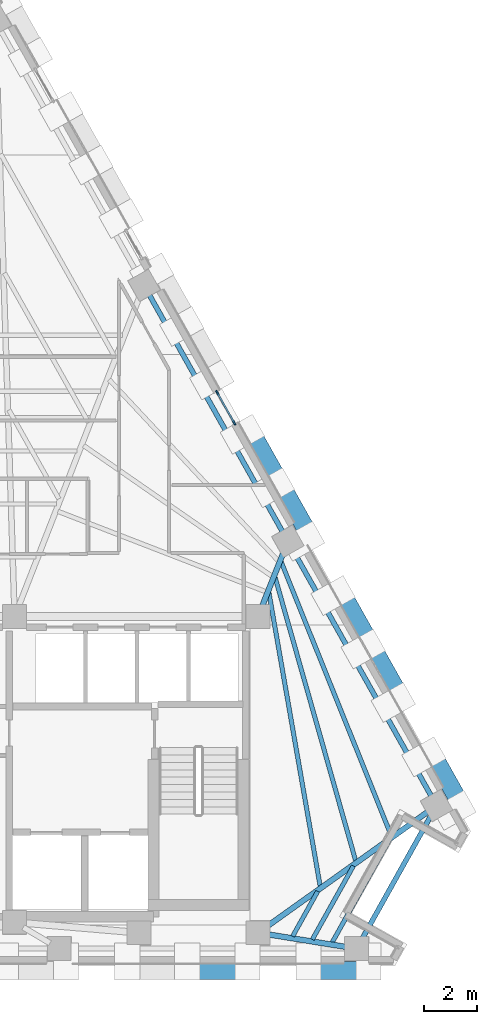
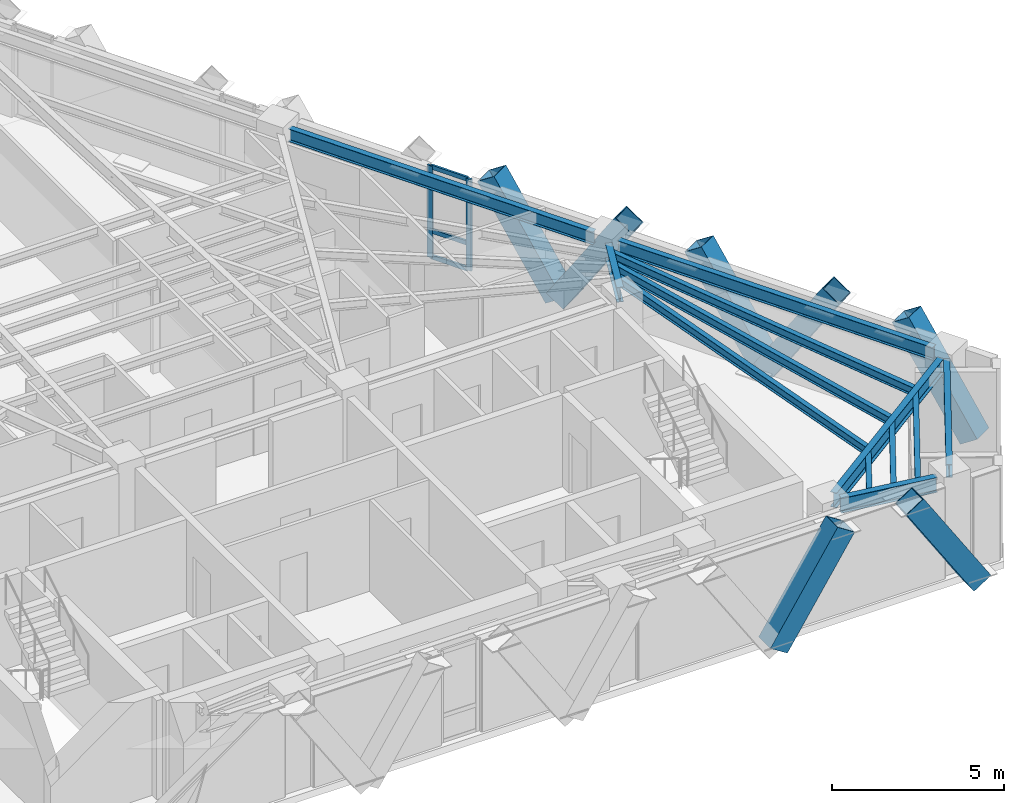
# One storey, part 4 of 12: 12 beams, 12 members, 1 element without a shape of its own.
"""IFC4 building model written with IfcOpenShell, lengths in metres."""

import ifcopenshell
import ifcopenshell.guid

model = None  # the IFC model being written
_history = None  # IfcOwnerHistory: only IFC2X3 demands one
_inside = {}  # id of a spatial element -> (the spatial element, [elements in it])
_under = {}  # id of a project, library or spatial element -> (it, [spatial elements below it])
_declared = {}  # id of a project -> (the project, [libraries it declares])
_typed = {}  # id of a type object -> (the type object, [elements of that type])
_made_of = {}  # id of a material, layer set ... -> (it, [elements and type objects made of it])


def new_model(schema):
    """Start an empty IFC model of exactly this schema.

    Asked for "IFC4X3", IfcOpenShell would pick the latest addendum, in which some entities
    have other attributes; the version numbers below select the first issue.
    IFC2X3 requires an IfcOwnerHistory on every rooted entity: one is made here for all.
    """
    global model, _history
    if schema == "IFC4X3":
        model = ifcopenshell.file(schema_version=(4, 3, 0, 0))
    else:
        model = ifcopenshell.file(schema=schema)
    _inside.clear()
    _under.clear()
    _declared.clear()
    _typed.clear()
    _made_of.clear()
    _history = None
    if model.schema == "IFC2X3":
        org = make("IfcOrganization", Name="unknown")
        user = make(
            "IfcPersonAndOrganization",
            ThePerson=make("IfcPerson", FamilyName="unknown"),
            TheOrganization=org,
        )
        app = make(
            "IfcApplication",
            ApplicationDeveloper=org,
            Version="unknown",
            ApplicationFullName="unknown",
            ApplicationIdentifier="unknown",
        )
        _history = make(
            "IfcOwnerHistory",
            OwningUser=user,
            OwningApplication=app,
            ChangeAction="ADDED",
            CreationDate=0,
        )
    return model


def make(cls, **values):
    """One entity of the class cls with the attributes given. An attribute that is None is left unset."""
    return model.create_entity(
        cls, **{name: value for name, value in values.items() if value is not None}
    )


def rooted(cls, **values):
    """An entity with a GlobalId (a new one), such as an element, a storey or a relation."""
    return make(cls, GlobalId=ifcopenshell.guid.new(), OwnerHistory=_history, **values)


def si_unit(unit_type, name, prefix=None):
    """IfcSIUnit, for example si_unit("LENGTHUNIT", "METRE", prefix="MILLI")."""
    return make("IfcSIUnit", UnitType=unit_type, Prefix=prefix, Name=name)


def assignment(units):
    """IfcUnitAssignment: the units of a project."""
    return None if units is None else make("IfcUnitAssignment", Units=units)


def point(xyz):
    """IfcCartesianPoint."""
    return None if xyz is None else make("IfcCartesianPoint", Coordinates=xyz)


def direction(xyz):
    """IfcDirection."""
    return None if xyz is None else make("IfcDirection", DirectionRatios=xyz)


def frame(location, z_axis=None, x_axis=None):
    """IfcAxis2Placement3D, a coordinate frame: its origin and axes. An axis left out is left unset."""
    return make(
        "IfcAxis2Placement3D",
        Location=point(location),
        Axis=direction(z_axis),
        RefDirection=direction(x_axis),
    )


def frame_2d(location, x_axis=None):
    """IfcAxis2Placement2D, a coordinate frame in the plane: its origin and x axis."""
    return make(
        "IfcAxis2Placement2D", Location=point(location), RefDirection=direction(x_axis)
    )


def origin():
    """The frame at (0, 0, 0) with its axes left unset."""
    return frame((0.0, 0.0, 0.0))


def origin_2d():
    """The frame at (0, 0) in the plane with its x axis left unset."""
    return frame_2d((0.0, 0.0))


def place(relative_to, where):
    """IfcLocalPlacement: puts the frame where relative to a parent placement (None: the world)."""
    return make(
        "IfcLocalPlacement", PlacementRelTo=relative_to, RelativePlacement=where
    )


def context(
    kind, dimensions, precision=None, world=None, true_north=None, identifier=None
):
    """IfcGeometricRepresentationContext, for example the 3D "Model" context."""
    return make(
        "IfcGeometricRepresentationContext",
        ContextIdentifier=identifier,
        ContextType=kind,
        CoordinateSpaceDimension=dimensions,
        Precision=precision,
        WorldCoordinateSystem=world,
        TrueNorth=true_north,
    )


def subcontext(parent, identifier, kind, view, scale=None):
    """IfcGeometricRepresentationSubContext, for example "Body" below "Model"."""
    return make(
        "IfcGeometricRepresentationSubContext",
        ContextIdentifier=identifier,
        ContextType=kind,
        ParentContext=parent,
        TargetScale=scale,
        TargetView=view,
    )


def project(units=None, contexts=None):
    """IfcProject with its units and contexts."""
    return rooted(
        "IfcProject",
        Name="project",
        RepresentationContexts=contexts,
        UnitsInContext=assignment(units),
    )


def spatial(cls, under=None, at=None, **own):
    """A site, building, storey or space (cls), placed at a placement, below another one or the project."""
    s = rooted(cls, ObjectPlacement=at, **own)
    if under is not None:
        _under.setdefault(under.id(), (under, []))[1].append(s)
    return s


def profile(cls, at=None, kind="AREA", **sizes):
    """A parametric profile (cls). Its sizes go by their IFC names, for example OverallWidth=200.0."""
    return make(cls, ProfileType=kind, Position=at, **sizes)


def rectangle(**sizes):
    """IfcRectangleProfileDef."""
    return profile("IfcRectangleProfileDef", **sizes)


def hollow_rectangle(**sizes):
    """IfcRectangleHollowProfileDef."""
    return profile("IfcRectangleHollowProfileDef", **sizes)


def i_section(**sizes):
    """IfcIShapeProfileDef."""
    return profile("IfcIShapeProfileDef", **sizes)


def extrude(swept, where, along, depth):
    """IfcExtrudedAreaSolid: the profile swept, set in the frame where, extruded along a direction by depth."""
    return make(
        "IfcExtrudedAreaSolid",
        SweptArea=swept,
        Position=where,
        ExtrudedDirection=direction(along),
        Depth=depth,
    )


def shape(context_of_items, identifier, shape_type, items):
    """IfcShapeRepresentation: the items that make up one representation, for example the "Body"."""
    return make(
        "IfcShapeRepresentation",
        ContextOfItems=context_of_items,
        RepresentationIdentifier=identifier,
        RepresentationType=shape_type,
        Items=items,
    )


def material(Name=None, Category=None):
    """IfcMaterial."""
    return make("IfcMaterial", Name=Name, Category=Category)


def material_profile(
    of_material, cross_section, Name=None, Category=None, Priority=None
):
    """IfcMaterialProfile: a cross section and its material."""
    return make(
        "IfcMaterialProfile",
        Name=Name,
        Material=of_material,
        Profile=cross_section,
        Priority=Priority,
        Category=Category,
    )


def profile_set(profiles, Name=None, composite=None):
    """IfcMaterialProfileSet."""
    return make(
        "IfcMaterialProfileSet",
        Name=Name,
        MaterialProfiles=profiles,
        CompositeProfile=composite,
    )


def made_of(thing, what):
    """Note that an element or type object is made of a material, layer set ...; save() writes the relation."""
    if what is not None:
        _made_of.setdefault(what.id(), (what, []))[1].append(thing)
    return thing


def type_object(cls, material=None, **own):
    """A type object (cls), such as IfcWallType, which elements share."""
    return made_of(rooted(cls, **own), material)


def element(
    cls,
    number,
    at=None,
    inside=None,
    cuts=None,
    type_object=None,
    material=None,
    context=None,
    identifier="Body",
    shape_type=None,
    held_by="IfcProductDefinitionShape",
    body=None,
    shapes=None,
    **own,
):
    """One element of the class cls, such as IfcWall. Its Tag is "e" and its number.

    at: its placement. inside: the storey or other place that contains it. cuts: it is an
    opening in that element (IfcRelVoidsElement). A single representation is given by context,
    identifier, shape_type and body (its items); several are given by shapes. held_by: the class
    of the entity that holds the representations. save() writes the other relations.
    """
    e = rooted(cls, Tag="e%d" % number, ObjectPlacement=at, **own)
    if body is not None:
        shapes = [shape(context, identifier, shape_type, body)]
    if shapes is not None:
        e.Representation = make(held_by, Representations=shapes)
    if inside is not None:
        _inside.setdefault(inside.id(), (inside, []))[1].append(e)
    if cuts is not None:
        rooted(
            "IfcRelVoidsElement", RelatingBuildingElement=cuts, RelatedOpeningElement=e
        )
    if type_object is not None:
        _typed.setdefault(type_object.id(), (type_object, []))[1].append(e)
    return made_of(e, material)


def aggregate(whole, parts):
    """IfcRelAggregates: a whole, such as a stair, and the parts it consists of."""
    return rooted("IfcRelAggregates", RelatingObject=whole, RelatedObjects=parts)


def save(model, path):
    """Write the relations noted so far, then the file.

    IfcRelAggregates (storeys below a building ...), IfcRelContainedInSpatialStructure (elements
    in a storey), IfcRelDefinesByType, IfcRelAssociatesMaterial and IfcRelDeclares: one each for
    every whole, place, type object, material and project.
    """
    for whole, parts in _under.values():
        aggregate(whole, parts)
    for where, things in _inside.values():
        rooted(
            "IfcRelContainedInSpatialStructure",
            RelatedElements=things,
            RelatingStructure=where,
        )
    for kind, things in _typed.values():
        rooted("IfcRelDefinesByType", RelatedObjects=things, RelatingType=kind)
    for what, things in _made_of.values():
        rooted("IfcRelAssociatesMaterial", RelatedObjects=things, RelatingMaterial=what)
    for by, libraries in _declared.values():
        rooted("IfcRelDeclares", RelatingContext=by, RelatedDefinitions=libraries)
    model.write(path)


model = new_model("IFC4")

# Units and contexts
model_context = context("Model", 3, precision=1e-05, world=origin(), true_north=direction((0.0, 1.0)))
body_context = subcontext(model_context, "Body", "Model", "MODEL_VIEW")
ifc_project = project(units=[si_unit("LENGTHUNIT", "METRE"), si_unit("AREAUNIT", "SQUARE_METRE"), si_unit("VOLUMEUNIT", "CUBIC_METRE"), si_unit("PLANEANGLEUNIT", "RADIAN"), si_unit("MASSUNIT", "GRAM", prefix="KILO")], contexts=[model_context])

# Site, building, storey
site_placement = place(None, origin())
site = spatial("IfcSite", under=ifc_project, at=site_placement, CompositionType="ELEMENT")
building_placement = place(site_placement, origin())
building = spatial("IfcBuilding", under=site, at=building_placement, Name="Quenlor Broadcast Tower", CompositionType="ELEMENT")
storey_placement = place(building_placement, frame((0.0, 0.0, 211.39990234375)))
storey = spatial("IfcBuildingStorey", under=building, at=storey_placement, Name="L58", CompositionType="ELEMENT", Elevation=211.39990234375)

# Curtain wall, members
ifc_material_1 = material(Name="Architectural Terracotta and Low-E Glazing", Category="masonry")
curtain_wall_type = type_object("IfcCurtainWallType", Name="Unitised Terracotta Curtain Wall System Z4", PredefinedType="NOTDEFINED", material=ifc_material_1)
curtain_wall_placement = place(storey_placement, origin())
curtain_wall = element("IfcCurtainWall", 1, at=curtain_wall_placement, inside=storey, type_object=curtain_wall_type, Name="L58 Curtain Wall CW4 (L58-NE-G1)", PredefinedType="NOTDEFINED")
ifc_material_2 = material(Name="Aluminium 6063-T6", Category="aluminium")
ifc_material_profile_1 = material_profile(ifc_material_2, rectangle(XDim=0.068115234375, YDim=0.179931640625, at=origin_2d()))
ifc_profile_set_1 = profile_set([ifc_material_profile_1], Name="Aluminium 6063-T6 MULL68x180")
member_type_1 = type_object("IfcMemberType", Name="CW4 Aluminium Mullion MULL_CW4", PredefinedType="MULLION", material=ifc_profile_set_1)
member_1_placement = place(storey_placement, frame((11.408203125, 3.65966796875, 0.0), z_axis=(0.0, 0.0, 1.0), x_axis=(0.871560008943, 0.490288844266, 0.0)))
member_1 = element("IfcMember", 2, at=member_1_placement, type_object=member_type_1, Name="CW4 mullion 1", PredefinedType="MULLION", context=body_context, shape_type="SweptSolid", body=[
    extrude(rectangle(XDim=0.068115234375, YDim=0.179931640625, at=origin_2d()), origin(), (0.0, 0.0, 1.0), 3.25),
])
member_2_placement = place(storey_placement, frame((12.049560546875, 2.519775390625, 0.0), z_axis=(0.0, 0.0, 1.0), x_axis=(0.871560008943, 0.490288844266, 0.0)))
member_2 = element("IfcMember", 3, at=member_2_placement, type_object=member_type_1, Name="CW4 mullion 2", PredefinedType="MULLION", context=body_context, shape_type="SweptSolid", body=[
    extrude(rectangle(XDim=0.068115234375, YDim=0.179931640625, at=origin_2d()), origin(), (0.0, 0.0, 1.0), 3.25),
])
ifc_material_3 = material(Name="Aluminium 6063-T6", Category="aluminium")
ifc_material_profile_2 = material_profile(ifc_material_3, rectangle(XDim=0.068115234375, YDim=0.14990234375, at=origin_2d()))
ifc_profile_set_2 = profile_set([ifc_material_profile_2], Name="Aluminium 6063-T6 TRAN68x150")
member_type_2 = type_object("IfcMemberType", Name="CW4 Aluminium Transom TRAN_CW4", PredefinedType="USERDEFINED", material=ifc_profile_set_2)
member_3_placement = place(storey_placement, frame((11.425048828125, 3.630126953125, 0.0341796875), z_axis=(0.490233197009, -0.871591310506, 0.0), x_axis=(0.871591310506, 0.490233197009, 0.0)))
member_3 = element("IfcMember", 4, at=member_3_placement, type_object=member_type_2, Name="CW4 transom 1.1", ObjectType="TRANSOM", PredefinedType="USERDEFINED", context=body_context, shape_type="SweptSolid", body=[
    extrude(rectangle(XDim=0.068115234375, YDim=0.14990234375, at=origin_2d()), origin(), (0.0, 0.0, 1.0), 1.239990234375),
])
member_4_placement = place(storey_placement, frame((11.425048828125, 3.630126953125, 0.9501953125), z_axis=(0.490233197009, -0.871591310506, 0.0), x_axis=(0.871591310506, 0.490233197009, 0.0)))
member_4 = element("IfcMember", 5, at=member_4_placement, type_object=member_type_2, Name="CW4 transom 1.2", ObjectType="TRANSOM", PredefinedType="USERDEFINED", context=body_context, shape_type="SweptSolid", body=[
    extrude(rectangle(XDim=0.068115234375, YDim=0.14990234375, at=origin_2d()), origin(), (0.0, 0.0, 1.0), 1.239990234375),
])
member_5_placement = place(storey_placement, frame((11.425048828125, 3.630126953125, 3.216064453125), z_axis=(0.490233197009, -0.871591310506, 0.0), x_axis=(0.871591310506, 0.490233197009, 0.0)))
member_5 = element("IfcMember", 6, at=member_5_placement, type_object=member_type_2, Name="CW4 transom 1.3", ObjectType="TRANSOM", PredefinedType="USERDEFINED", context=body_context, shape_type="SweptSolid", body=[
    extrude(rectangle(XDim=0.068115234375, YDim=0.14990234375, at=origin_2d()), origin(), (0.0, 0.0, 1.0), 1.239990234375),
])
aggregate(curtain_wall, [member_1, member_2, member_3, member_4, member_5])

# Members
ifc_material_4 = material(Name="Steel S355", Category="steel")
ifc_material_profile_3 = material_profile(ifc_material_4, hollow_rectangle(XDim=0.679931640625, YDim=0.679931640625, WallThickness=0.02490234375, at=origin_2d()))
ifc_profile_set_3 = profile_set([ifc_material_profile_3], Name="Steel S355 RHS680x680x25")
member_type_3 = type_object("IfcMemberType", Name="Perimeter Diagonal Lattice Brace Z3-Z4 Steel S355 RHS680x25", PredefinedType="BRACE", material=ifc_profile_set_3)
for number, where, z_axis, x_axis, name in (
    (7, (17.1123046875, -18.169921875, -0.119873046875), (-0.541794306908, 0.0, 0.840511111766), (0.0, -1.0, 0.0), "L58 Perimeter Diamond Lattice S-C1S"),
    (8, (10.289306640625, -18.169921875, -0.119873046875), (0.541794306908, 0.0, 0.840511111766), (0.0, 1.0, 0.0), "L58 Perimeter Diamond Lattice S-C1B"),
):
    element("IfcMember", number, at=place(storey_placement, frame(where, z_axis=z_axis, x_axis=x_axis)), inside=storey, type_object=member_type_3, Name=name, PredefinedType="BRACE", context=body_context, shape_type="SweptSolid", body=[
        extrude(hollow_rectangle(XDim=0.679931640625, YDim=0.679931640625, WallThickness=0.02490234375, at=origin_2d()), origin(), (0.0, 0.0, 1.0), 4.1640625),
    ])
for number, where, z_axis, x_axis, name in (
    (9, (13.781005859375, 0.24755859375, -0.119873046875), (-0.269547055694, 0.479136497832, 0.835327840559), (-0.871550060774, -0.49030652817, 0.0), "L58 Perimeter Diamond Lattice NE-C3B"),
    (10, (13.794677734375, 0.22314453125, -0.119873046875), (0.269485495908, -0.479188912076, 0.835317636614), (0.871620820774, 0.490180726664, 0.0), "L58 Perimeter Diamond Lattice NE-C4S"),
    (11, (17.2099609375, -5.8486328125, -0.119873046875), (-0.269547055694, 0.479136497832, 0.835327840559), (-0.871550060774, -0.49030652817, 0.0), "L58 Perimeter Diamond Lattice NE-C4B"),
):
    element("IfcMember", number, at=place(storey_placement, frame(where, z_axis=z_axis, x_axis=x_axis)), inside=storey, type_object=member_type_3, Name=name, PredefinedType="BRACE", context=body_context, shape_type="SweptSolid", body=[
        extrude(hollow_rectangle(XDim=0.679931640625, YDim=0.679931640625, WallThickness=0.02490234375, at=origin_2d()), origin(), (0.0, 0.0, 1.0), 4.18994140625),
    ])
member_6_placement = place(storey_placement, frame((17.2236328125, -5.873046875, -0.119873046875), z_axis=(0.269539530269, -0.479181387144, 0.835304519224), x_axis=(0.871575537125, 0.490261239633, 0.0)))
element("IfcMember", 12, at=member_6_placement, inside=storey, type_object=member_type_3, Name="L58 Perimeter Diamond Lattice NE-C5S", PredefinedType="BRACE", context=body_context, shape_type="SweptSolid", body=[
    extrude(hollow_rectangle(XDim=0.679931640625, YDim=0.679931640625, WallThickness=0.02490234375, at=origin_2d()), origin(), (0.0, 0.0, 1.0), 4.190185546875),
])
member_7_placement = place(storey_placement, frame((20.63916015625, -11.94482421875, -0.119873046875), z_axis=(-0.269547055694, 0.479136497832, 0.835327840559), x_axis=(-0.871550060774, -0.49030652817, 0.0)))
element("IfcMember", 13, at=member_7_placement, inside=storey, type_object=member_type_3, Name="L58 Perimeter Diamond Lattice NE-C5B", PredefinedType="BRACE", context=body_context, shape_type="SweptSolid", body=[
    extrude(hollow_rectangle(XDim=0.679931640625, YDim=0.679931640625, WallThickness=0.02490234375, at=origin_2d()), origin(), (0.0, 0.0, 1.0), 4.18994140625),
])

# Beams
ifc_material_5 = material(Name="Steel S355", Category="steel")
ifc_material_profile_4 = material_profile(ifc_material_5, i_section(OverallWidth=0.18994140625, OverallDepth=0.453857421875, WebThickness=0.008544921875, FlangeThickness=0.0126953125, FilletRadius=0.011474609375, at=origin_2d()))
ifc_profile_set_4 = profile_set([ifc_material_profile_4], Name="Steel S355 460UB67.1")
beam_type_1 = type_object("IfcBeamType", Name="Perimeter Spandrel Beam Z4 Steel S355 460UB67.1", PredefinedType="SPANDREL", material=ifc_profile_set_4)
beam_1_placement = place(storey_placement, frame((16.875732421875, -16.991943359375, 3.023193359375), z_axis=(0.487647250206, 0.8730407547, 0.0), x_axis=(-0.8730407547, 0.487647250206, 0.0)))
element("IfcBeam", 14, at=beam_1_placement, inside=storey, type_object=beam_type_1, Name="L58 Spandrel Beam S4-NE1", PredefinedType="SPANDREL", context=body_context, shape_type="SweptSolid", body=[
    extrude(i_section(OverallWidth=0.18994140625, OverallDepth=0.453857421875, WebThickness=0.008544921875, FlangeThickness=0.0126953125, FilletRadius=0.011474609375, at=origin_2d()), origin(), (0.0, 0.0, 1.0), 5.37451171875),
])
beam_2_placement = place(storey_placement, frame((19.49560546875, -11.58447265625, 3.023193359375), z_axis=(-0.490272131974, 0.871569410093, 0.0), x_axis=(-0.871569410093, -0.490272131974, 0.0)))
element("IfcBeam", 15, at=beam_2_placement, inside=storey, type_object=beam_type_1, Name="L58 Spandrel Beam NE1-NE2", PredefinedType="SPANDREL", context=body_context, shape_type="SweptSolid", body=[
    extrude(i_section(OverallWidth=0.18994140625, OverallDepth=0.453857421875, WebThickness=0.008544921875, FlangeThickness=0.0126953125, FilletRadius=0.011474609375, at=origin_2d()), origin(), (0.0, 0.0, 1.0), 10.6416015625),
])
beam_3_placement = place(storey_placement, frame((13.87646484375, -1.594970703125, 3.023193359375), z_axis=(-0.490263496537, 0.871574267612, 0.0), x_axis=(-0.871574267612, -0.490263496537, 0.0)))
element("IfcBeam", 16, at=beam_3_placement, inside=storey, type_object=beam_type_1, Name="L58 Spandrel Beam NE2-NE3", PredefinedType="SPANDREL", context=body_context, shape_type="SweptSolid", body=[
    extrude(i_section(OverallWidth=0.18994140625, OverallDepth=0.453857421875, WebThickness=0.008544921875, FlangeThickness=0.0126953125, FilletRadius=0.011474609375, at=origin_2d()), origin(), (0.0, 0.0, 1.0), 10.271728515625),
])
ifc_material_6 = material(Name="Steel S355", Category="steel")
ifc_material_profile_5 = material_profile(ifc_material_6, i_section(OverallWidth=0.166015625, OverallDepth=0.30712890625, WebThickness=0.006591796875, FlangeThickness=0.01171875, FilletRadius=0.011474609375, at=origin_2d()))
ifc_profile_set_5 = profile_set([ifc_material_profile_5], Name="Steel S355 310UB46.2")
beam_type_2 = type_object("IfcBeamType", Name="Tower Composite Joist Z4-Z5 Steel S355 310UB46.2", PredefinedType="JOIST", material=ifc_profile_set_5)
beam_4_placement = place(storey_placement, frame((15.297607421875, -14.98828125, 3.096435546875), z_axis=(-0.172003691938, 0.985096304916, 0.0), x_axis=(-0.985096304916, -0.172003691938, 0.0)))
element("IfcBeam", 17, at=beam_4_placement, inside=storey, type_object=beam_type_2, Name="L58 Secondary Composite Joist 16", PredefinedType="JOIST", context=body_context, shape_type="SweptSolid", body=[
    extrude(i_section(OverallWidth=0.166015625, OverallDepth=0.30712890625, WebThickness=0.006591796875, FlangeThickness=0.01171875, FilletRadius=0.011474609375, at=origin_2d()), origin(), (0.0, 0.0, 1.0), 11.274169921875),
])
beam_5_placement = place(storey_placement, frame((16.638671875, -14.028564453125, 3.096435546875), z_axis=(-0.273447576454, 0.961886907558, 0.0), x_axis=(-0.961886907558, -0.273447576454, 0.0)))
element("IfcBeam", 18, at=beam_5_placement, inside=storey, type_object=beam_type_2, Name="L58 Secondary Composite Joist 17", PredefinedType="JOIST", context=body_context, shape_type="SweptSolid", body=[
    extrude(i_section(OverallWidth=0.166015625, OverallDepth=0.30712890625, WebThickness=0.006591796875, FlangeThickness=0.01171875, FilletRadius=0.011474609375, at=origin_2d()), origin(), (0.0, 0.0, 1.0), 11.142333984375),
])
beam_6_placement = place(storey_placement, frame((17.97998046875, -13.069580078125, 3.096435546875), z_axis=(-0.373094895103, 0.927793187757, 0.0), x_axis=(-0.927793187757, -0.373094895103, 0.0)))
element("IfcBeam", 19, at=beam_6_placement, inside=storey, type_object=beam_type_2, Name="L58 Secondary Composite Joist 18", PredefinedType="JOIST", context=body_context, shape_type="SweptSolid", body=[
    extrude(i_section(OverallWidth=0.166015625, OverallDepth=0.30712890625, WebThickness=0.006591796875, FlangeThickness=0.01171875, FilletRadius=0.011474609375, at=origin_2d()), origin(), (0.0, 0.0, 1.0), 11.13525390625),
])
beam_7_placement = place(storey_placement, frame((14.255859375, -16.88427734375, 3.096435546875), z_axis=(0.487590799665, 0.873072283423, 0.0), x_axis=(-0.873072283423, 0.487590799665, 0.0)))
element("IfcBeam", 20, at=beam_7_placement, inside=storey, type_object=beam_type_2, Name="L58 Secondary Composite Joist 22", PredefinedType="JOIST", context=body_context, shape_type="SweptSolid", body=[
    extrude(i_section(OverallWidth=0.166015625, OverallDepth=0.30712890625, WebThickness=0.006591796875, FlangeThickness=0.01171875, FilletRadius=0.011474609375, at=origin_2d()), origin(), (0.0, 0.0, 1.0), 1.9462890625),
])
beam_8_placement = place(storey_placement, frame((15.0009765625, -17.004150390625, 3.096435546875), z_axis=(0.487646119388, 0.87304138633, 0.0), x_axis=(-0.87304138633, 0.487646119388, 0.0)))
element("IfcBeam", 21, at=beam_8_placement, inside=storey, type_object=beam_type_2, Name="L58 Secondary Composite Joist 23", PredefinedType="JOIST", context=body_context, shape_type="SweptSolid", body=[
    extrude(i_section(OverallWidth=0.166015625, OverallDepth=0.30712890625, WebThickness=0.006591796875, FlangeThickness=0.01171875, FilletRadius=0.011474609375, at=origin_2d()), origin(), (0.0, 0.0, 1.0), 3.18505859375),
])
beam_9_placement = place(storey_placement, frame((15.74609375, -17.124267578125, 3.096435546875), z_axis=(0.487604899573, 0.873064408799, 0.0), x_axis=(-0.873064408799, 0.487604899573, 0.0)))
element("IfcBeam", 22, at=beam_9_placement, inside=storey, type_object=beam_type_2, Name="L58 Secondary Composite Joist 24", PredefinedType="JOIST", context=body_context, shape_type="SweptSolid", body=[
    extrude(i_section(OverallWidth=0.166015625, OverallDepth=0.30712890625, WebThickness=0.006591796875, FlangeThickness=0.01171875, FilletRadius=0.011474609375, at=origin_2d()), origin(), (0.0, 0.0, 1.0), 4.424072265625),
])
ifc_material_7 = material(Name="Steel S355", Category="steel")
ifc_material_profile_6 = material_profile(ifc_material_7, i_section(OverallWidth=0.208984375, OverallDepth=0.5283203125, WebThickness=0.009521484375, FlangeThickness=0.01318359375, FilletRadius=0.013916015625, at=origin_2d()))
ifc_profile_set_6 = profile_set([ifc_material_profile_6], Name="Steel S355 530UB82.0")
beam_type_3 = type_object("IfcBeamType", Name="Tower Primary Floor Beam Z4 Steel S355 530UB82.0", PredefinedType="BEAM", material=ifc_profile_set_6)
beam_10_placement = place(storey_placement, frame((16.27099609375, -17.284912109375, 2.986083984375), z_axis=(-0.987268490875, 0.159062650942, 0.0), x_axis=(-0.159062650942, -0.987268490875, 0.0)))
element("IfcBeam", 23, at=beam_10_placement, inside=storey, type_object=beam_type_3, Name="L58 Primary Radial Beam S4", PredefinedType="BEAM", context=body_context, shape_type="SweptSolid", body=[
    extrude(i_section(OverallWidth=0.208984375, OverallDepth=0.5283203125, WebThickness=0.009521484375, FlangeThickness=0.01318359375, FilletRadius=0.013916015625, at=origin_2d()), origin(), (0.0, 0.0, 1.0), 2.98388671875),
])
beam_11_placement = place(storey_placement, frame((19.362548828125, -12.1796875, 2.986083984375), z_axis=(-0.814329531787, -0.580402802938, 0.0), x_axis=(0.580402802938, -0.814329531787, 0.0)))
element("IfcBeam", 24, at=beam_11_placement, inside=storey, type_object=beam_type_3, Name="L58 Primary Radial Beam NE1", PredefinedType="BEAM", context=body_context, shape_type="SweptSolid", body=[
    extrude(i_section(OverallWidth=0.208984375, OverallDepth=0.5283203125, WebThickness=0.009521484375, FlangeThickness=0.01318359375, FilletRadius=0.013916015625, at=origin_2d()), origin(), (0.0, 0.0, 1.0), 7.49462890625),
])
beam_12_placement = place(storey_placement, frame((13.926513671875, -2.33349609375, 2.986083984375), z_axis=(-0.368110359783, -0.92978210513, 0.0), x_axis=(0.92978210513, -0.368110359783, 0.0)))
element("IfcBeam", 25, at=beam_12_placement, inside=storey, type_object=beam_type_3, Name="L58 Primary Radial Beam NE2", PredefinedType="BEAM", context=body_context, shape_type="SweptSolid", body=[
    extrude(i_section(OverallWidth=0.208984375, OverallDepth=0.5283203125, WebThickness=0.009521484375, FlangeThickness=0.01318359375, FilletRadius=0.013916015625, at=origin_2d()), origin(), (0.0, 0.0, 1.0), 2.27294921875),
])

save(model, "model.ifc")
